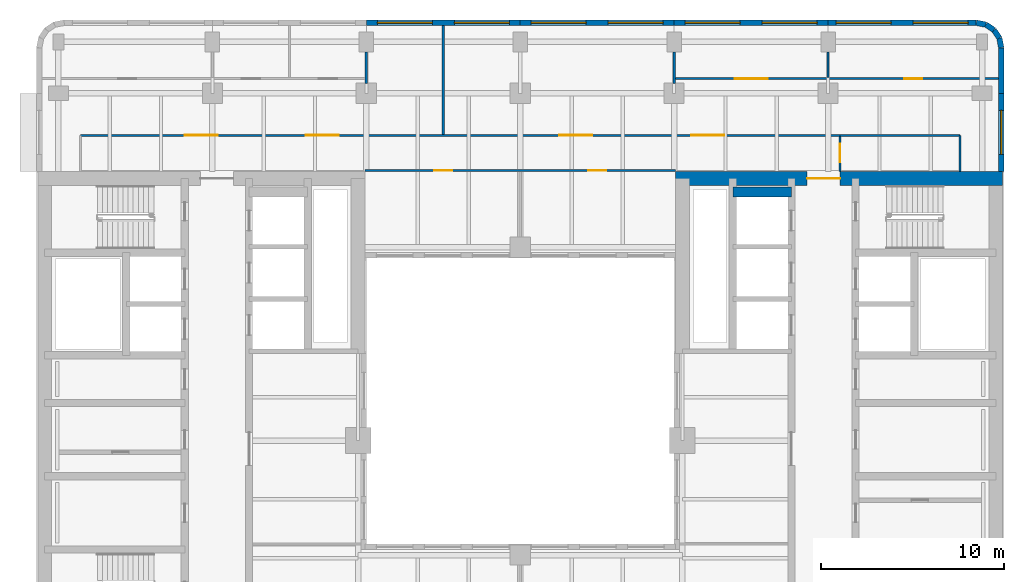
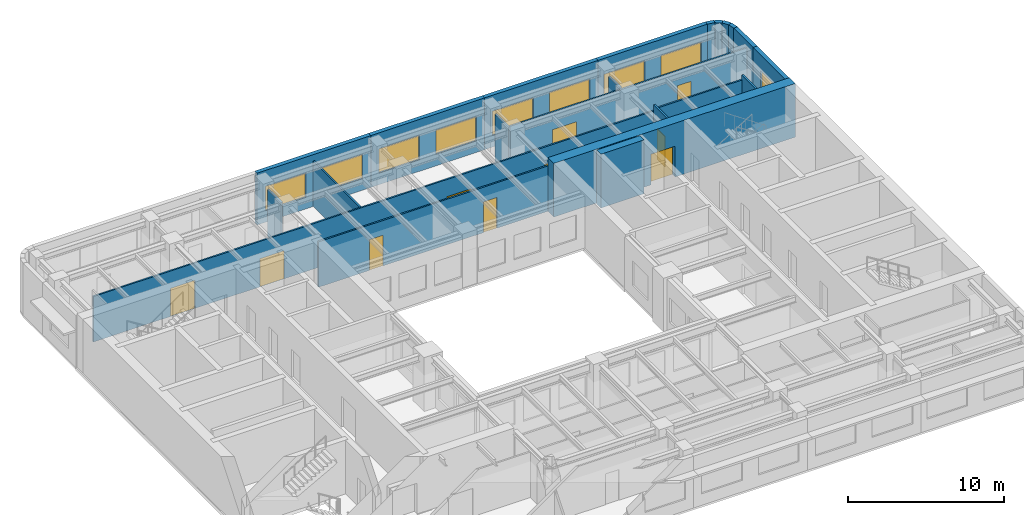
# One storey, part 7 of 11: 22 walls, 10 doors, 9 windows, 19 openings.
"""IFC4 building model written with IfcOpenShell, lengths in metres."""

import ifcopenshell
import ifcopenshell.guid

model = None  # the IFC model being written
_history = None  # IfcOwnerHistory: only IFC2X3 demands one
_inside = {}  # id of a spatial element -> (the spatial element, [elements in it])
_under = {}  # id of a project, library or spatial element -> (it, [spatial elements below it])
_declared = {}  # id of a project -> (the project, [libraries it declares])
_typed = {}  # id of a type object -> (the type object, [elements of that type])
_made_of = {}  # id of a material, layer set ... -> (it, [elements and type objects made of it])


def new_model(schema):
    """Start an empty IFC model of exactly this schema.

    Asked for "IFC4X3", IfcOpenShell would pick the latest addendum, in which some entities
    have other attributes; the version numbers below select the first issue.
    IFC2X3 requires an IfcOwnerHistory on every rooted entity: one is made here for all.
    """
    global model, _history
    if schema == "IFC4X3":
        model = ifcopenshell.file(schema_version=(4, 3, 0, 0))
    else:
        model = ifcopenshell.file(schema=schema)
    _inside.clear()
    _under.clear()
    _declared.clear()
    _typed.clear()
    _made_of.clear()
    _history = None
    if model.schema == "IFC2X3":
        org = make("IfcOrganization", Name="unknown")
        user = make(
            "IfcPersonAndOrganization",
            ThePerson=make("IfcPerson", FamilyName="unknown"),
            TheOrganization=org,
        )
        app = make(
            "IfcApplication",
            ApplicationDeveloper=org,
            Version="unknown",
            ApplicationFullName="unknown",
            ApplicationIdentifier="unknown",
        )
        _history = make(
            "IfcOwnerHistory",
            OwningUser=user,
            OwningApplication=app,
            ChangeAction="ADDED",
            CreationDate=0,
        )
    return model


def make(cls, **values):
    """One entity of the class cls with the attributes given. An attribute that is None is left unset."""
    return model.create_entity(
        cls, **{name: value for name, value in values.items() if value is not None}
    )


def rooted(cls, **values):
    """An entity with a GlobalId (a new one), such as an element, a storey or a relation."""
    return make(cls, GlobalId=ifcopenshell.guid.new(), OwnerHistory=_history, **values)


def si_unit(unit_type, name, prefix=None):
    """IfcSIUnit, for example si_unit("LENGTHUNIT", "METRE", prefix="MILLI")."""
    return make("IfcSIUnit", UnitType=unit_type, Prefix=prefix, Name=name)


def assignment(units):
    """IfcUnitAssignment: the units of a project."""
    return None if units is None else make("IfcUnitAssignment", Units=units)


def point(xyz):
    """IfcCartesianPoint."""
    return None if xyz is None else make("IfcCartesianPoint", Coordinates=xyz)


def direction(xyz):
    """IfcDirection."""
    return None if xyz is None else make("IfcDirection", DirectionRatios=xyz)


def frame(location, z_axis=None, x_axis=None):
    """IfcAxis2Placement3D, a coordinate frame: its origin and axes. An axis left out is left unset."""
    return make(
        "IfcAxis2Placement3D",
        Location=point(location),
        Axis=direction(z_axis),
        RefDirection=direction(x_axis),
    )


def frame_2d(location, x_axis=None):
    """IfcAxis2Placement2D, a coordinate frame in the plane: its origin and x axis."""
    return make(
        "IfcAxis2Placement2D", Location=point(location), RefDirection=direction(x_axis)
    )


def origin():
    """The frame at (0, 0, 0) with its axes left unset."""
    return frame((0.0, 0.0, 0.0))


def place(relative_to, where):
    """IfcLocalPlacement: puts the frame where relative to a parent placement (None: the world)."""
    return make(
        "IfcLocalPlacement", PlacementRelTo=relative_to, RelativePlacement=where
    )


def context(
    kind, dimensions, precision=None, world=None, true_north=None, identifier=None
):
    """IfcGeometricRepresentationContext, for example the 3D "Model" context."""
    return make(
        "IfcGeometricRepresentationContext",
        ContextIdentifier=identifier,
        ContextType=kind,
        CoordinateSpaceDimension=dimensions,
        Precision=precision,
        WorldCoordinateSystem=world,
        TrueNorth=true_north,
    )


def subcontext(parent, identifier, kind, view, scale=None):
    """IfcGeometricRepresentationSubContext, for example "Body" below "Model"."""
    return make(
        "IfcGeometricRepresentationSubContext",
        ContextIdentifier=identifier,
        ContextType=kind,
        ParentContext=parent,
        TargetScale=scale,
        TargetView=view,
    )


def project(units=None, contexts=None):
    """IfcProject with its units and contexts."""
    return rooted(
        "IfcProject",
        Name="project",
        RepresentationContexts=contexts,
        UnitsInContext=assignment(units),
    )


def spatial(cls, under=None, at=None, **own):
    """A site, building, storey or space (cls), placed at a placement, below another one or the project."""
    s = rooted(cls, ObjectPlacement=at, **own)
    if under is not None:
        _under.setdefault(under.id(), (under, []))[1].append(s)
    return s


def profile(cls, at=None, kind="AREA", **sizes):
    """A parametric profile (cls). Its sizes go by their IFC names, for example OverallWidth=200.0."""
    return make(cls, ProfileType=kind, Position=at, **sizes)


def rectangle(**sizes):
    """IfcRectangleProfileDef."""
    return profile("IfcRectangleProfileDef", **sizes)


def extrude(swept, where, along, depth):
    """IfcExtrudedAreaSolid: the profile swept, set in the frame where, extruded along a direction by depth."""
    return make(
        "IfcExtrudedAreaSolid",
        SweptArea=swept,
        Position=where,
        ExtrudedDirection=direction(along),
        Depth=depth,
    )


def shape(context_of_items, identifier, shape_type, items):
    """IfcShapeRepresentation: the items that make up one representation, for example the "Body"."""
    return make(
        "IfcShapeRepresentation",
        ContextOfItems=context_of_items,
        RepresentationIdentifier=identifier,
        RepresentationType=shape_type,
        Items=items,
    )


def material(Name=None, Category=None):
    """IfcMaterial."""
    return make("IfcMaterial", Name=Name, Category=Category)


def layer(
    of_material, thickness, ventilated=None, Name=None, Category=None, Priority=None
):
    """IfcMaterialLayer: one layer of a wall or slab, of a material (None: an air gap)."""
    return make(
        "IfcMaterialLayer",
        Material=of_material,
        LayerThickness=thickness,
        IsVentilated=ventilated,
        Name=Name,
        Category=Category,
        Priority=Priority,
    )


def layer_set(layers, Name=None):
    """IfcMaterialLayerSet."""
    return make("IfcMaterialLayerSet", MaterialLayers=layers, LayerSetName=Name)


def made_of(thing, what):
    """Note that an element or type object is made of a material, layer set ...; save() writes the relation."""
    if what is not None:
        _made_of.setdefault(what.id(), (what, []))[1].append(thing)
    return thing


def type_object(cls, material=None, **own):
    """A type object (cls), such as IfcWallType, which elements share."""
    return made_of(rooted(cls, **own), material)


def element(
    cls,
    number,
    at=None,
    inside=None,
    cuts=None,
    type_object=None,
    material=None,
    context=None,
    identifier="Body",
    shape_type=None,
    held_by="IfcProductDefinitionShape",
    body=None,
    shapes=None,
    **own,
):
    """One element of the class cls, such as IfcWall. Its Tag is "e" and its number.

    at: its placement. inside: the storey or other place that contains it. cuts: it is an
    opening in that element (IfcRelVoidsElement). A single representation is given by context,
    identifier, shape_type and body (its items); several are given by shapes. held_by: the class
    of the entity that holds the representations. save() writes the other relations.
    """
    e = rooted(cls, Tag="e%d" % number, ObjectPlacement=at, **own)
    if body is not None:
        shapes = [shape(context, identifier, shape_type, body)]
    if shapes is not None:
        e.Representation = make(held_by, Representations=shapes)
    if inside is not None:
        _inside.setdefault(inside.id(), (inside, []))[1].append(e)
    if cuts is not None:
        rooted(
            "IfcRelVoidsElement", RelatingBuildingElement=cuts, RelatedOpeningElement=e
        )
    if type_object is not None:
        _typed.setdefault(type_object.id(), (type_object, []))[1].append(e)
    return made_of(e, material)


def fill(opening, filler):
    """IfcRelFillsElement: the door or window that sits in an opening."""
    return rooted(
        "IfcRelFillsElement",
        RelatingOpeningElement=opening,
        RelatedBuildingElement=filler,
    )


def aggregate(whole, parts):
    """IfcRelAggregates: a whole, such as a stair, and the parts it consists of."""
    return rooted("IfcRelAggregates", RelatingObject=whole, RelatedObjects=parts)


def save(model, path):
    """Write the relations noted so far, then the file.

    IfcRelAggregates (storeys below a building ...), IfcRelContainedInSpatialStructure (elements
    in a storey), IfcRelDefinesByType, IfcRelAssociatesMaterial and IfcRelDeclares: one each for
    every whole, place, type object, material and project.
    """
    for whole, parts in _under.values():
        aggregate(whole, parts)
    for where, things in _inside.values():
        rooted(
            "IfcRelContainedInSpatialStructure",
            RelatedElements=things,
            RelatingStructure=where,
        )
    for kind, things in _typed.values():
        rooted("IfcRelDefinesByType", RelatedObjects=things, RelatingType=kind)
    for what, things in _made_of.values():
        rooted("IfcRelAssociatesMaterial", RelatedObjects=things, RelatingMaterial=what)
    for by, libraries in _declared.values():
        rooted("IfcRelDeclares", RelatingContext=by, RelatedDefinitions=libraries)
    model.write(path)


model = new_model("IFC4")

# Units and contexts
model_context = context("Model", 3, precision=1e-05, world=origin(), true_north=direction((0.0, 1.0)))
body_context = subcontext(model_context, "Body", "Model", "MODEL_VIEW")
ifc_project = project(units=[si_unit("LENGTHUNIT", "METRE"), si_unit("AREAUNIT", "SQUARE_METRE"), si_unit("VOLUMEUNIT", "CUBIC_METRE"), si_unit("PLANEANGLEUNIT", "RADIAN"), si_unit("MASSUNIT", "GRAM", prefix="KILO")], contexts=[model_context])

# Site, building, storey
site_placement = place(None, origin())
site = spatial("IfcSite", under=ifc_project, at=site_placement, CompositionType="ELEMENT")
building_placement = place(site_placement, origin())
building = spatial("IfcBuilding", under=site, at=building_placement, Name="Claustro Exchange Tower", CompositionType="ELEMENT")
storey_placement = place(building_placement, frame((0.0, 0.0, 215.39990234375)))
storey = spatial("IfcBuildingStorey", under=building, at=storey_placement, Name="L49", CompositionType="ELEMENT", Elevation=215.39990234375)

# Wall
ifc_material_1 = material(Name="Laminated glass in aluminium frame", Category="aluminium")
ifc_layer_1 = layer(ifc_material_1, 0.1201171875)
ifc_layer_set_1 = layer_set([ifc_layer_1], Name="Laminated glass in aluminium frame")
wall_type_1 = type_object("IfcWallType", Name="P2 120 glazed partition", PredefinedType="PARTITIONING", material=ifc_layer_set_1)
wall_1_placement = place(storey_placement, frame((16.800048828125, 42.548095703125, 0.0), z_axis=(0.0, 0.0, 1.0), x_axis=(0.0, 1.0, 0.0)))
element("IfcWall", 1, at=wall_1_placement, inside=storey, type_object=wall_type_1, Name="Partition P2 L49", PredefinedType="PARTITIONING", context=body_context, shape_type="SweptSolid", body=[
    extrude(rectangle(XDim=1.702880859375, YDim=0.1201171875, at=frame_2d((0.8515625, 0.0))), origin(), (0.0, 0.0, 1.0), 3.690185546875),
])

# Wall, openings, doors
wall_2_placement = place(storey_placement, frame((33.60009765625, 42.800048828125, 0.0), z_axis=(0.0, 0.0, 1.0), x_axis=(1.0, 0.0, 0.0)))
wall_2 = element("IfcWall", 2, at=wall_2_placement, inside=storey, type_object=wall_type_1, Name="Partition P2 L49", PredefinedType="PARTITIONING", context=body_context, shape_type="SweptSolid", body=[
    extrude(rectangle(XDim=17.701904296875, YDim=0.1201171875, at=frame_2d((8.85107421875, 0.0))), origin(), (0.0, 0.0, 1.0), 3.56005859375),
])
opening_1_placement = place(wall_2_placement, frame((3.300048828125, 0.0, 0.0)))
opening_1 = element("IfcOpeningElement", 3, at=opening_1_placement, cuts=wall_2, Name="Opening D2", PredefinedType="OPENING", context=body_context, shape_type="SweptSolid", body=[
    extrude(rectangle(XDim=1.800048828125, YDim=2.199951171875, at=frame_2d((0.89990234375, 1.10009765625))), frame((0.0, 0.070068359375, 0.0), z_axis=(0.0, -1.0, 0.0), x_axis=(1.0, 0.0, 0.0)), (0.0, 0.0, 1.0), 0.14013671875),
])
opening_2_placement = place(wall_2_placement, frame((12.550048828125, 0.0, 0.0)))
opening_2 = element("IfcOpeningElement", 4, at=opening_2_placement, cuts=wall_2, Name="Opening D7", PredefinedType="OPENING", context=body_context, shape_type="SweptSolid", body=[
    extrude(rectangle(XDim=1.0, YDim=2.39990234375, at=frame_2d((0.5, 1.199951171875))), frame((0.0, 0.070068359375, 0.0), z_axis=(0.0, -1.0, 0.0), x_axis=(1.0, 0.0, 0.0)), (0.0, 0.0, 1.0), 0.14013671875),
])
ifc_material_2 = material(Name="Timber door, oak veneer", Category="wood")
door_type_1 = type_object("IfcDoorType", Name="D2 1800 x 2200 double door", OperationType="DOUBLE_DOOR_SINGLE_SWING", PredefinedType="DOOR", material=ifc_material_2)
door_1_placement = place(opening_1_placement, origin())
door_1 = element("IfcDoor", 5, at=door_1_placement, inside=storey, type_object=door_type_1, Name="Double door D2 L49", OperationType="DOUBLE_DOOR_SINGLE_SWING", OverallHeight=2.199951171875, OverallWidth=1.800048828125, PredefinedType="DOOR", context=body_context, shape_type="SweptSolid", body=[
    extrude(rectangle(XDim=1.800048828125, YDim=2.199951171875, at=frame_2d((0.89990234375, 1.10009765625))), frame((0.0, 0.02490234375, 0.0), z_axis=(0.0, -1.0, 0.0), x_axis=(1.0, 0.0, 0.0)), (0.0, 0.0, 1.0), 0.050048828125),
])
fill(opening_1, door_1)
ifc_material_3 = material(Name="Glass door in aluminium frame", Category="aluminium")
door_type_2 = type_object("IfcDoorType", Name="D7 1000 x 2400 glazed door", OperationType="SINGLE_SWING_LEFT", PredefinedType="DOOR", material=ifc_material_3)
door_2_placement = place(opening_2_placement, origin())
door_2 = element("IfcDoor", 6, at=door_2_placement, inside=storey, type_object=door_type_2, Name="Door D7 L49", OperationType="SINGLE_SWING_LEFT", OverallHeight=2.39990234375, OverallWidth=1.0, PredefinedType="DOOR", context=body_context, shape_type="SweptSolid", body=[
    extrude(rectangle(XDim=1.0, YDim=2.39990234375, at=frame_2d((0.5, 1.199951171875))), frame((0.0, 0.02490234375, 0.0), z_axis=(0.0, -1.0, 0.0), x_axis=(1.0, 0.0, 0.0)), (0.0, 0.0, 1.0), 0.050048828125),
])
fill(opening_2, door_2)

# Walls
wall_3_placement = place(storey_placement, frame((33.60009765625, 42.548095703125, 0.0), z_axis=(0.0, 0.0, 1.0), x_axis=(0.0, 1.0, 0.0)))
element("IfcWall", 7, at=wall_3_placement, inside=storey, type_object=wall_type_1, Name="Partition P2 L49", PredefinedType="PARTITIONING", context=body_context, shape_type="SweptSolid", body=[
    extrude(rectangle(XDim=1.702880859375, YDim=0.1201171875, at=frame_2d((0.8515625, 0.0))), origin(), (0.0, 0.0, 1.0), 3.690185546875),
])
wall_4_placement = place(storey_placement, frame((42.0, 42.85791015625, 0.0), z_axis=(0.0, 0.0, 1.0), x_axis=(0.0, 1.0, 0.0)))
element("IfcWall", 8, at=wall_4_placement, inside=storey, type_object=wall_type_1, Name="Partition P2 L49", PredefinedType="PARTITIONING", context=body_context, shape_type="SweptSolid", body=[
    extrude(rectangle(XDim=1.39306640625, YDim=0.1201171875, at=frame_2d((0.696533203125, 0.0))), origin(), (0.0, 0.0, 1.0), 3.690185546875),
])
wall_5_placement = place(storey_placement, frame((21.0, 39.758056640625, 0.0), z_axis=(0.0, 0.0, 1.0), x_axis=(0.0, 1.0, 0.0)))
element("IfcWall", 9, at=wall_5_placement, inside=storey, type_object=wall_type_1, Name="Partition P2 L49", PredefinedType="PARTITIONING", context=body_context, shape_type="SweptSolid", body=[
    extrude(rectangle(XDim=5.94384765625, YDim=0.1201171875, at=frame_2d((2.971923828125, 0.0))), origin(), (0.0, 0.0, 1.0), 3.550048828125),
])

# Wall, openings, doors
wall_6_placement = place(storey_placement, frame((1.199951171875, 39.699951171875, 0.0), z_axis=(0.0, 0.0, 1.0), x_axis=(1.0, 0.0, 0.0)))
wall_6 = element("IfcWall", 10, at=wall_6_placement, inside=storey, type_object=wall_type_1, Name="Partition P2 L49", PredefinedType="PARTITIONING", context=body_context, shape_type="SweptSolid", body=[
    extrude(rectangle(XDim=41.4521484375, YDim=0.1201171875, at=frame_2d((20.72607421875, 0.0))), origin(), (0.0, 0.0, 1.0), 3.550048828125),
])
opening_3_placement = place(wall_6_placement, frame((5.699951171875, 0.0, 0.0)))
opening_3 = element("IfcOpeningElement", 11, at=opening_3_placement, cuts=wall_6, Name="Opening D2", PredefinedType="OPENING", context=body_context, shape_type="SweptSolid", body=[
    extrude(rectangle(XDim=1.800048828125, YDim=2.199951171875, at=frame_2d((0.89990234375, 1.10009765625))), frame((0.0, 0.070068359375, 0.0), z_axis=(0.0, -1.0, 0.0), x_axis=(1.0, 0.0, 0.0)), (0.0, 0.0, 1.0), 0.14013671875),
])
opening_4_placement = place(wall_6_placement, frame((12.300048828125, 0.0, 0.0)))
opening_4 = element("IfcOpeningElement", 12, at=opening_4_placement, cuts=wall_6, Name="Opening D2", PredefinedType="OPENING", context=body_context, shape_type="SweptSolid", body=[
    extrude(rectangle(XDim=1.800048828125, YDim=2.199951171875, at=frame_2d((0.89990234375, 1.10009765625))), frame((0.0, 0.070068359375, 0.0), z_axis=(0.0, -1.0, 0.0), x_axis=(1.0, 0.0, 0.0)), (0.0, 0.0, 1.0), 0.14013671875),
])
opening_5_placement = place(wall_6_placement, frame((26.11669921875, 0.0, 0.0)))
opening_5 = element("IfcOpeningElement", 13, at=opening_5_placement, cuts=wall_6, Name="Opening D2", PredefinedType="OPENING", context=body_context, shape_type="SweptSolid", body=[
    extrude(rectangle(XDim=1.800048828125, YDim=2.199951171875, at=frame_2d((0.89990234375, 1.10009765625))), frame((0.0, 0.070068359375, 0.0), z_axis=(0.0, -1.0, 0.0), x_axis=(1.0, 0.0, 0.0)), (0.0, 0.0, 1.0), 0.14013671875),
])
opening_6_placement = place(wall_6_placement, frame((33.333251953125, 0.0, 0.0)))
opening_6 = element("IfcOpeningElement", 14, at=opening_6_placement, cuts=wall_6, Name="Opening D2", PredefinedType="OPENING", context=body_context, shape_type="SweptSolid", body=[
    extrude(rectangle(XDim=1.800048828125, YDim=2.199951171875, at=frame_2d((0.89990234375, 1.10009765625))), frame((0.0, 0.070068359375, 0.0), z_axis=(0.0, -1.0, 0.0), x_axis=(1.0, 0.0, 0.0)), (0.0, 0.0, 1.0), 0.14013671875),
])
door_3_placement = place(opening_3_placement, origin())
door_3 = element("IfcDoor", 15, at=door_3_placement, inside=storey, type_object=door_type_1, Name="Double door D2 L49", OperationType="DOUBLE_DOOR_SINGLE_SWING", OverallHeight=2.199951171875, OverallWidth=1.800048828125, PredefinedType="DOOR", context=body_context, shape_type="SweptSolid", body=[
    extrude(rectangle(XDim=1.800048828125, YDim=2.199951171875, at=frame_2d((0.89990234375, 1.10009765625))), frame((0.0, 0.02490234375, 0.0), z_axis=(0.0, -1.0, 0.0), x_axis=(1.0, 0.0, 0.0)), (0.0, 0.0, 1.0), 0.050048828125),
])
fill(opening_3, door_3)
door_4_placement = place(opening_4_placement, origin())
door_4 = element("IfcDoor", 16, at=door_4_placement, inside=storey, type_object=door_type_1, Name="Double door D2 L49", OperationType="DOUBLE_DOOR_SINGLE_SWING", OverallHeight=2.199951171875, OverallWidth=1.800048828125, PredefinedType="DOOR", context=body_context, shape_type="SweptSolid", body=[
    extrude(rectangle(XDim=1.800048828125, YDim=2.199951171875, at=frame_2d((0.89990234375, 1.10009765625))), frame((0.0, 0.02490234375, 0.0), z_axis=(0.0, -1.0, 0.0), x_axis=(1.0, 0.0, 0.0)), (0.0, 0.0, 1.0), 0.050048828125),
])
fill(opening_4, door_4)
door_5_placement = place(opening_5_placement, origin())
door_5 = element("IfcDoor", 17, at=door_5_placement, inside=storey, type_object=door_type_1, Name="Double door D2 L49", OperationType="DOUBLE_DOOR_SINGLE_SWING", OverallHeight=2.199951171875, OverallWidth=1.800048828125, PredefinedType="DOOR", context=body_context, shape_type="SweptSolid", body=[
    extrude(rectangle(XDim=1.800048828125, YDim=2.199951171875, at=frame_2d((0.89990234375, 1.10009765625))), frame((0.0, 0.02490234375, 0.0), z_axis=(0.0, -1.0, 0.0), x_axis=(1.0, 0.0, 0.0)), (0.0, 0.0, 1.0), 0.050048828125),
])
fill(opening_5, door_5)
door_6_placement = place(opening_6_placement, origin())
door_6 = element("IfcDoor", 18, at=door_6_placement, inside=storey, type_object=door_type_1, Name="Double door D2 L49", OperationType="DOUBLE_DOOR_SINGLE_SWING", OverallHeight=2.199951171875, OverallWidth=1.800048828125, PredefinedType="DOOR", context=body_context, shape_type="SweptSolid", body=[
    extrude(rectangle(XDim=1.800048828125, YDim=2.199951171875, at=frame_2d((0.89990234375, 1.10009765625))), frame((0.0, 0.02490234375, 0.0), z_axis=(0.0, -1.0, 0.0), x_axis=(1.0, 0.0, 0.0)), (0.0, 0.0, 1.0), 0.050048828125),
])
fill(opening_6, door_6)

# Wall, opening, door
wall_7_placement = place(storey_placement, frame((42.64990234375, 37.72412109375, 0.0), z_axis=(0.0, 0.0, 1.0), x_axis=(0.0, 1.0, 0.0)))
wall_7 = element("IfcWall", 19, at=wall_7_placement, inside=storey, type_object=wall_type_1, Name="Partition P2 L49", PredefinedType="PARTITIONING", context=body_context, shape_type="SweptSolid", body=[
    extrude(rectangle(XDim=1.91796875, YDim=0.1201171875, at=frame_2d((0.958984375, 0.0))), origin(), (0.0, 0.0, 1.0), 4.050048828125),
])
opening_7_placement = place(wall_7_placement, frame((0.52587890625, 0.0, 0.0)))
opening_7 = element("IfcOpeningElement", 20, at=opening_7_placement, cuts=wall_7, Name="Opening D7", PredefinedType="OPENING", context=body_context, shape_type="SweptSolid", body=[
    extrude(rectangle(XDim=1.0, YDim=2.39990234375, at=frame_2d((0.5, 1.199951171875))), frame((0.0, 0.070068359375, 0.0), z_axis=(0.0, -1.0, 0.0), x_axis=(1.0, 0.0, 0.0)), (0.0, 0.0, 1.0), 0.14013671875),
])
door_7_placement = place(opening_7_placement, frame((1.0, 0.0, 0.0), z_axis=(0.0, 0.0, 1.0), x_axis=(-1.0, 0.0, 0.0)))
door_7 = element("IfcDoor", 21, at=door_7_placement, inside=storey, type_object=door_type_2, Name="Door D7 L49", OperationType="SINGLE_SWING_RIGHT", OverallHeight=2.39990234375, OverallWidth=1.0, PredefinedType="DOOR", context=body_context, shape_type="SweptSolid", body=[
    extrude(rectangle(XDim=1.0, YDim=2.39990234375, at=frame_2d((0.5, 1.199951171875))), frame((0.0, 0.02490234375, 0.0), z_axis=(0.0, -1.0, 0.0), x_axis=(1.0, 0.0, 0.0)), (0.0, 0.0, 1.0), 0.050048828125),
])
fill(opening_7, door_7)

# Walls
wall_8_placement = place(storey_placement, frame((42.64794921875, 39.699951171875, 0.0), z_axis=(0.0, 0.0, 1.0), x_axis=(1.0, 0.0, 0.0)))
element("IfcWall", 22, at=wall_8_placement, inside=storey, type_object=wall_type_1, Name="Partition P2 L49", PredefinedType="PARTITIONING", context=body_context, shape_type="SweptSolid", body=[
    extrude(rectangle(XDim=6.552001953125, YDim=0.1201171875, at=frame_2d((3.27587890625, 0.0))), origin(), (0.0, 0.0, 1.0), 3.690185546875),
])
wall_9_placement = place(storey_placement, frame((49.199951171875, 37.72412109375, 0.0), z_axis=(0.0, 0.0, 1.0), x_axis=(0.0, 1.0, 0.0)))
element("IfcWall", 23, at=wall_9_placement, inside=storey, type_object=wall_type_1, Name="Partition P2 L49", PredefinedType="PARTITIONING", context=body_context, shape_type="SweptSolid", body=[
    extrude(rectangle(XDim=1.975830078125, YDim=0.1201171875, at=frame_2d((0.98779296875, 0.0))), origin(), (0.0, 0.0, 1.0), 4.050048828125),
])

# Wall, openings, doors
wall_10_placement = place(storey_placement, frame((16.72509765625, 37.784912109375, 0.0), z_axis=(0.0, 0.0, 1.0), x_axis=(1.0, 0.0, 0.0)))
wall_10 = element("IfcWall", 24, at=wall_10_placement, inside=storey, type_object=wall_type_1, Name="Partition P2 L49", PredefinedType="PARTITIONING", context=body_context, shape_type="SweptSolid", body=[
    extrude(rectangle(XDim=16.949951171875, YDim=0.1201171875, at=frame_2d((8.47509765625, 0.0))), origin(), (0.0, 0.0, 1.0), 3.550048828125),
])
opening_8_placement = place(wall_10_placement, frame((3.77490234375, 0.0, 0.0)))
opening_8 = element("IfcOpeningElement", 25, at=opening_8_placement, cuts=wall_10, Name="Opening D7", PredefinedType="OPENING", context=body_context, shape_type="SweptSolid", body=[
    extrude(rectangle(XDim=1.0, YDim=2.39990234375, at=frame_2d((0.5, 1.199951171875))), frame((0.0, 0.070068359375, 0.0), z_axis=(0.0, -1.0, 0.0), x_axis=(1.0, 0.0, 0.0)), (0.0, 0.0, 1.0), 0.14013671875),
])
opening_9_placement = place(wall_10_placement, frame((12.175048828125, 0.0, 0.0)))
opening_9 = element("IfcOpeningElement", 26, at=opening_9_placement, cuts=wall_10, Name="Opening D7", PredefinedType="OPENING", context=body_context, shape_type="SweptSolid", body=[
    extrude(rectangle(XDim=1.0, YDim=2.39990234375, at=frame_2d((0.5, 1.199951171875))), frame((0.0, 0.070068359375, 0.0), z_axis=(0.0, -1.0, 0.0), x_axis=(1.0, 0.0, 0.0)), (0.0, 0.0, 1.0), 0.14013671875),
])
door_8_placement = place(opening_8_placement, frame((1.0, 0.0, 0.0), z_axis=(0.0, 0.0, 1.0), x_axis=(-1.0, 0.0, 0.0)))
door_8 = element("IfcDoor", 27, at=door_8_placement, inside=storey, type_object=door_type_2, Name="Door D7 L49", OperationType="SINGLE_SWING_LEFT", OverallHeight=2.39990234375, OverallWidth=1.0, PredefinedType="DOOR", context=body_context, shape_type="SweptSolid", body=[
    extrude(rectangle(XDim=1.0, YDim=2.39990234375, at=frame_2d((0.5, 1.199951171875))), frame((0.0, 0.02490234375, 0.0), z_axis=(0.0, -1.0, 0.0), x_axis=(1.0, 0.0, 0.0)), (0.0, 0.0, 1.0), 0.050048828125),
])
fill(opening_8, door_8)
door_9_placement = place(opening_9_placement, frame((1.0, 0.0, 0.0), z_axis=(0.0, 0.0, 1.0), x_axis=(-1.0, 0.0, 0.0)))
door_9 = element("IfcDoor", 28, at=door_9_placement, inside=storey, type_object=door_type_2, Name="Door D7 L49", OperationType="SINGLE_SWING_LEFT", OverallHeight=2.39990234375, OverallWidth=1.0, PredefinedType="DOOR", context=body_context, shape_type="SweptSolid", body=[
    extrude(rectangle(XDim=1.0, YDim=2.39990234375, at=frame_2d((0.5, 1.199951171875))), frame((0.0, 0.02490234375, 0.0), z_axis=(0.0, -1.0, 0.0), x_axis=(1.0, 0.0, 0.0)), (0.0, 0.0, 1.0), 0.050048828125),
])
fill(opening_9, door_9)

# Wall, openings, windows
ifc_material_4 = material(Name="Concrete HA-40 (C40/50), precast, white cement, acid-etched", Category="concrete")
ifc_layer_2 = layer(ifc_material_4, 0.300048828125)
ifc_layer_set_2 = layer_set([ifc_layer_2], Name="Concrete HA-40 (C40/50), precast, white cement, acid-etched")
wall_type_2 = type_object("IfcWallType", Name="PC1 300 precast concrete pier panel", PredefinedType="SOLIDWALL", material=ifc_layer_set_2)
wall_11_placement = place(storey_placement, frame((16.800048828125, 45.85009765625, 0.0), z_axis=(0.0, 0.0, 1.0), x_axis=(1.0, 0.0, 0.0)))
wall_11 = element("IfcWall", 29, at=wall_11_placement, inside=storey, type_object=wall_type_2, Name="Precast pier panel PC1 L49", PredefinedType="SOLIDWALL", context=body_context, shape_type="SweptSolid", body=[
    extrude(rectangle(XDim=8.39990234375, YDim=0.300048828125, at=frame_2d((4.199951171875, 0.0))), origin(), (0.0, 0.0, 1.0), 4.050048828125),
])
opening_10_placement = place(wall_11_placement, frame((0.60009765625, 0.0, 0.89990234375)))
opening_10 = element("IfcOpeningElement", 30, at=opening_10_placement, cuts=wall_11, Name="Opening W1", PredefinedType="OPENING", context=body_context, shape_type="SweptSolid", body=[
    extrude(rectangle(XDim=3.0, YDim=1.89990234375, at=frame_2d((1.5, 0.949951171875))), frame((0.0, 0.159912109375, 0.0), z_axis=(0.0, -1.0, 0.0), x_axis=(1.0, 0.0, 0.0)), (0.0, 0.0, 1.0), 0.320068359375),
])
opening_11_placement = place(wall_11_placement, frame((4.800048828125, 0.0, 0.89990234375)))
opening_11 = element("IfcOpeningElement", 31, at=opening_11_placement, cuts=wall_11, Name="Opening W1", PredefinedType="OPENING", context=body_context, shape_type="SweptSolid", body=[
    extrude(rectangle(XDim=3.0, YDim=1.89990234375, at=frame_2d((1.5, 0.949951171875))), frame((0.0, 0.159912109375, 0.0), z_axis=(0.0, -1.0, 0.0), x_axis=(1.0, 0.0, 0.0)), (0.0, 0.0, 1.0), 0.320068359375),
])
ifc_material_5 = material(Name="Aluminium frame, clear double glazing", Category="aluminium")
window_type_1 = type_object("IfcWindowType", Name="W1 3000 x 1900 window", PartitioningType="SINGLE_PANEL", PredefinedType="WINDOW", material=ifc_material_5)
window_1_placement = place(opening_10_placement, origin())
window_1 = element("IfcWindow", 32, at=window_1_placement, inside=storey, type_object=window_type_1, Name="Window W1 L49", OverallHeight=1.89990234375, OverallWidth=3.0, PartitioningType="SINGLE_PANEL", PredefinedType="WINDOW", context=body_context, shape_type="SweptSolid", body=[
    extrude(rectangle(XDim=3.0, YDim=1.89990234375, at=frame_2d((1.5, 0.949951171875))), frame((0.0, 0.030029296875, 0.0), z_axis=(0.0, -1.0, 0.0), x_axis=(1.0, 0.0, 0.0)), (0.0, 0.0, 1.0), 0.06005859375),
])
fill(opening_10, window_1)
window_2_placement = place(opening_11_placement, origin())
window_2 = element("IfcWindow", 33, at=window_2_placement, inside=storey, type_object=window_type_1, Name="Window W1 L49", OverallHeight=1.89990234375, OverallWidth=3.0, PartitioningType="SINGLE_PANEL", PredefinedType="WINDOW", context=body_context, shape_type="SweptSolid", body=[
    extrude(rectangle(XDim=3.0, YDim=1.89990234375, at=frame_2d((1.5, 0.949951171875))), frame((0.0, 0.030029296875, 0.0), z_axis=(0.0, -1.0, 0.0), x_axis=(1.0, 0.0, 0.0)), (0.0, 0.0, 1.0), 0.06005859375),
])
fill(opening_11, window_2)

wall_12_placement = place(storey_placement, frame((25.199951171875, 45.85009765625, 0.0), z_axis=(0.0, 0.0, 1.0), x_axis=(1.0, 0.0, 0.0)))
wall_12 = element("IfcWall", 34, at=wall_12_placement, inside=storey, type_object=wall_type_2, Name="Precast pier panel PC1 L49", PredefinedType="SOLIDWALL", context=body_context, shape_type="SweptSolid", body=[
    extrude(rectangle(XDim=8.400146484375, YDim=0.300048828125, at=frame_2d((4.2001953125, 0.0))), origin(), (0.0, 0.0, 1.0), 4.050048828125),
])
opening_12_placement = place(wall_12_placement, frame((0.60009765625, 0.0, 0.89990234375)))
opening_12 = element("IfcOpeningElement", 35, at=opening_12_placement, cuts=wall_12, Name="Opening W1", PredefinedType="OPENING", context=body_context, shape_type="SweptSolid", body=[
    extrude(rectangle(XDim=3.0, YDim=1.89990234375, at=frame_2d((1.5, 0.949951171875))), frame((0.0, 0.159912109375, 0.0), z_axis=(0.0, -1.0, 0.0), x_axis=(1.0, 0.0, 0.0)), (0.0, 0.0, 1.0), 0.320068359375),
])
opening_13_placement = place(wall_12_placement, frame((4.800048828125, 0.0, 0.89990234375)))
opening_13 = element("IfcOpeningElement", 36, at=opening_13_placement, cuts=wall_12, Name="Opening W1", PredefinedType="OPENING", context=body_context, shape_type="SweptSolid", body=[
    extrude(rectangle(XDim=3.0, YDim=1.89990234375, at=frame_2d((1.5, 0.949951171875))), frame((0.0, 0.159912109375, 0.0), z_axis=(0.0, -1.0, 0.0), x_axis=(1.0, 0.0, 0.0)), (0.0, 0.0, 1.0), 0.320068359375),
])
window_3_placement = place(opening_12_placement, origin())
window_3 = element("IfcWindow", 37, at=window_3_placement, inside=storey, type_object=window_type_1, Name="Window W1 L49", OverallHeight=1.89990234375, OverallWidth=3.0, PartitioningType="SINGLE_PANEL", PredefinedType="WINDOW", context=body_context, shape_type="SweptSolid", body=[
    extrude(rectangle(XDim=3.0, YDim=1.89990234375, at=frame_2d((1.5, 0.949951171875))), frame((0.0, 0.030029296875, 0.0), z_axis=(0.0, -1.0, 0.0), x_axis=(1.0, 0.0, 0.0)), (0.0, 0.0, 1.0), 0.06005859375),
])
fill(opening_12, window_3)
window_4_placement = place(opening_13_placement, origin())
window_4 = element("IfcWindow", 38, at=window_4_placement, inside=storey, type_object=window_type_1, Name="Window W1 L49", OverallHeight=1.89990234375, OverallWidth=3.0, PartitioningType="SINGLE_PANEL", PredefinedType="WINDOW", context=body_context, shape_type="SweptSolid", body=[
    extrude(rectangle(XDim=3.0, YDim=1.89990234375, at=frame_2d((1.5, 0.949951171875))), frame((0.0, 0.030029296875, 0.0), z_axis=(0.0, -1.0, 0.0), x_axis=(1.0, 0.0, 0.0)), (0.0, 0.0, 1.0), 0.06005859375),
])
fill(opening_13, window_4)

wall_13_placement = place(storey_placement, frame((33.60009765625, 45.85009765625, 0.0), z_axis=(0.0, 0.0, 1.0), x_axis=(1.0, 0.0, 0.0)))
wall_13 = element("IfcWall", 39, at=wall_13_placement, inside=storey, type_object=wall_type_2, Name="Precast pier panel PC1 L49", PredefinedType="SOLIDWALL", context=body_context, shape_type="SweptSolid", body=[
    extrude(rectangle(XDim=8.39990234375, YDim=0.300048828125, at=frame_2d((4.199951171875, 0.0))), origin(), (0.0, 0.0, 1.0), 4.050048828125),
])
opening_14_placement = place(wall_13_placement, frame((0.60009765625, 0.0, 0.89990234375)))
opening_14 = element("IfcOpeningElement", 40, at=opening_14_placement, cuts=wall_13, Name="Opening W1", PredefinedType="OPENING", context=body_context, shape_type="SweptSolid", body=[
    extrude(rectangle(XDim=3.0, YDim=1.89990234375, at=frame_2d((1.5, 0.949951171875))), frame((0.0, 0.159912109375, 0.0), z_axis=(0.0, -1.0, 0.0), x_axis=(1.0, 0.0, 0.0)), (0.0, 0.0, 1.0), 0.320068359375),
])
opening_15_placement = place(wall_13_placement, frame((4.800048828125, 0.0, 0.89990234375)))
opening_15 = element("IfcOpeningElement", 41, at=opening_15_placement, cuts=wall_13, Name="Opening W1", PredefinedType="OPENING", context=body_context, shape_type="SweptSolid", body=[
    extrude(rectangle(XDim=3.0, YDim=1.89990234375, at=frame_2d((1.5, 0.949951171875))), frame((0.0, 0.159912109375, 0.0), z_axis=(0.0, -1.0, 0.0), x_axis=(1.0, 0.0, 0.0)), (0.0, 0.0, 1.0), 0.320068359375),
])
window_5_placement = place(opening_14_placement, origin())
window_5 = element("IfcWindow", 42, at=window_5_placement, inside=storey, type_object=window_type_1, Name="Window W1 L49", OverallHeight=1.89990234375, OverallWidth=3.0, PartitioningType="SINGLE_PANEL", PredefinedType="WINDOW", context=body_context, shape_type="SweptSolid", body=[
    extrude(rectangle(XDim=3.0, YDim=1.89990234375, at=frame_2d((1.5, 0.949951171875))), frame((0.0, 0.030029296875, 0.0), z_axis=(0.0, -1.0, 0.0), x_axis=(1.0, 0.0, 0.0)), (0.0, 0.0, 1.0), 0.06005859375),
])
fill(opening_14, window_5)
window_6_placement = place(opening_15_placement, origin())
window_6 = element("IfcWindow", 43, at=window_6_placement, inside=storey, type_object=window_type_1, Name="Window W1 L49", OverallHeight=1.89990234375, OverallWidth=3.0, PartitioningType="SINGLE_PANEL", PredefinedType="WINDOW", context=body_context, shape_type="SweptSolid", body=[
    extrude(rectangle(XDim=3.0, YDim=1.89990234375, at=frame_2d((1.5, 0.949951171875))), frame((0.0, 0.030029296875, 0.0), z_axis=(0.0, -1.0, 0.0), x_axis=(1.0, 0.0, 0.0)), (0.0, 0.0, 1.0), 0.06005859375),
])
fill(opening_15, window_6)

wall_14_placement = place(storey_placement, frame((42.0, 45.85009765625, 0.0), z_axis=(0.0, 0.0, 1.0), x_axis=(1.0, 0.0, 0.0)))
wall_14 = element("IfcWall", 44, at=wall_14_placement, inside=storey, type_object=wall_type_2, Name="Precast pier panel PC1 L49", PredefinedType="SOLIDWALL", context=body_context, shape_type="SweptSolid", body=[
    extrude(rectangle(XDim=8.085205078125, YDim=0.300048828125, at=frame_2d((4.04248046875, 0.0))), origin(), (0.0, 0.0, 1.0), 4.050048828125),
])
opening_16_placement = place(wall_14_placement, frame((0.442626953125, 0.0, 0.89990234375)))
opening_16 = element("IfcOpeningElement", 45, at=opening_16_placement, cuts=wall_14, Name="Opening W1", PredefinedType="OPENING", context=body_context, shape_type="SweptSolid", body=[
    extrude(rectangle(XDim=3.0, YDim=1.89990234375, at=frame_2d((1.5, 0.949951171875))), frame((0.0, 0.159912109375, 0.0), z_axis=(0.0, -1.0, 0.0), x_axis=(1.0, 0.0, 0.0)), (0.0, 0.0, 1.0), 0.320068359375),
])
opening_17_placement = place(wall_14_placement, frame((4.642578125, 0.0, 0.89990234375)))
opening_17 = element("IfcOpeningElement", 46, at=opening_17_placement, cuts=wall_14, Name="Opening W1", PredefinedType="OPENING", context=body_context, shape_type="SweptSolid", body=[
    extrude(rectangle(XDim=3.0, YDim=1.89990234375, at=frame_2d((1.5, 0.949951171875))), frame((0.0, 0.159912109375, 0.0), z_axis=(0.0, -1.0, 0.0), x_axis=(1.0, 0.0, 0.0)), (0.0, 0.0, 1.0), 0.320068359375),
])
window_7_placement = place(opening_16_placement, origin())
window_7 = element("IfcWindow", 47, at=window_7_placement, inside=storey, type_object=window_type_1, Name="Window W1 L49", OverallHeight=1.89990234375, OverallWidth=3.0, PartitioningType="SINGLE_PANEL", PredefinedType="WINDOW", context=body_context, shape_type="SweptSolid", body=[
    extrude(rectangle(XDim=3.0, YDim=1.89990234375, at=frame_2d((1.5, 0.949951171875))), frame((0.0, 0.030029296875, 0.0), z_axis=(0.0, -1.0, 0.0), x_axis=(1.0, 0.0, 0.0)), (0.0, 0.0, 1.0), 0.06005859375),
])
fill(opening_16, window_7)
window_8_placement = place(opening_17_placement, origin())
window_8 = element("IfcWindow", 48, at=window_8_placement, inside=storey, type_object=window_type_1, Name="Window W1 L49", OverallHeight=1.89990234375, OverallWidth=3.0, PartitioningType="SINGLE_PANEL", PredefinedType="WINDOW", context=body_context, shape_type="SweptSolid", body=[
    extrude(rectangle(XDim=3.0, YDim=1.89990234375, at=frame_2d((1.5, 0.949951171875))), frame((0.0, 0.030029296875, 0.0), z_axis=(0.0, -1.0, 0.0), x_axis=(1.0, 0.0, 0.0)), (0.0, 0.0, 1.0), 0.06005859375),
])
fill(opening_17, window_8)

# Walls
wall_15_placement = place(storey_placement, frame((50.085205078125, 45.85009765625, 0.0), z_axis=(0.0, 0.0, 1.0), x_axis=(0.980702050465, -0.1955082817, 0.0)))
element("IfcWall", 49, at=wall_15_placement, inside=storey, type_object=wall_type_2, Name="Precast pier panel PC1 L49", PredefinedType="SOLIDWALL", context=body_context, shape_type="SweptSolid", body=[
    extrude(rectangle(XDim=0.540771484375, YDim=0.300048828125, at=frame_2d((0.2705078125, 0.0))), origin(), (0.0, 0.0, 1.0), 4.050048828125),
])
wall_16_placement = place(storey_placement, frame((50.615478515625, 45.744384765625, 0.0), z_axis=(0.0, 0.0, 1.0), x_axis=(0.831692711774, -0.555236195849, 0.0)))
element("IfcWall", 50, at=wall_16_placement, inside=storey, type_object=wall_type_2, Name="Precast pier panel PC1 L49", PredefinedType="SOLIDWALL", context=body_context, shape_type="SweptSolid", body=[
    extrude(rectangle(XDim=0.525390625, YDim=0.300048828125, at=frame_2d((0.2626953125, 0.0))), origin(), (0.0, 0.0, 1.0), 4.050048828125),
])
wall_17_placement = place(storey_placement, frame((51.052490234375, 45.45263671875, 0.0), z_axis=(0.0, 0.0, 1.0), x_axis=(0.55534295404, -0.831621430339, 0.0)))
element("IfcWall", 51, at=wall_17_placement, inside=storey, type_object=wall_type_2, Name="Precast pier panel PC1 L49", PredefinedType="SOLIDWALL", context=body_context, shape_type="SweptSolid", body=[
    extrude(rectangle(XDim=0.52587890625, YDim=0.300048828125, at=frame_2d((0.262939453125, 0.0))), origin(), (0.0, 0.0, 1.0), 4.050048828125),
])
wall_18_placement = place(storey_placement, frame((51.344482421875, 45.015380859375, 0.0), z_axis=(0.0, 0.0, 1.0), x_axis=(0.195073962632, -0.980788534345, 0.0)))
element("IfcWall", 52, at=wall_18_placement, inside=storey, type_object=wall_type_2, Name="Precast pier panel PC1 L49", PredefinedType="SOLIDWALL", context=body_context, shape_type="SweptSolid", body=[
    extrude(rectangle(XDim=0.540771484375, YDim=0.300048828125, at=frame_2d((0.2705078125, 0.0))), origin(), (0.0, 0.0, 1.0), 4.050048828125),
])
wall_19_placement = place(storey_placement, frame((51.449951171875, 44.485107421875, 0.0), z_axis=(0.0, 0.0, 1.0), x_axis=(0.0, -1.0, 0.0)))
element("IfcWall", 53, at=wall_19_placement, inside=storey, type_object=wall_type_2, Name="Precast pier panel PC1 L49", PredefinedType="SOLIDWALL", context=body_context, shape_type="SweptSolid", body=[
    extrude(rectangle(XDim=2.485107421875, YDim=0.300048828125, at=frame_2d((1.24267578125, 0.0))), origin(), (0.0, 0.0, 1.0), 4.050048828125),
])

# Wall, opening, window
wall_20_placement = place(storey_placement, frame((51.449951171875, 42.0, 0.0), z_axis=(0.0, 0.0, 1.0), x_axis=(0.0, -1.0, 0.0)))
wall_20 = element("IfcWall", 54, at=wall_20_placement, inside=storey, type_object=wall_type_2, Name="Precast pier panel PC1 L49", PredefinedType="SOLIDWALL", context=body_context, shape_type="SweptSolid", body=[
    extrude(rectangle(XDim=4.27490234375, YDim=0.300048828125, at=frame_2d((2.137451171875, 0.0))), origin(), (0.0, 0.0, 1.0), 4.050048828125),
])
opening_18_placement = place(wall_20_placement, frame((0.9375, 0.0, 0.89990234375)))
opening_18 = element("IfcOpeningElement", 55, at=opening_18_placement, cuts=wall_20, Name="Opening W2", PredefinedType="OPENING", context=body_context, shape_type="SweptSolid", body=[
    extrude(rectangle(XDim=2.39990234375, YDim=1.89990234375, at=frame_2d((1.199951171875, 0.949951171875))), frame((0.0, 0.159912109375, 0.0), z_axis=(0.0, -1.0, 0.0), x_axis=(1.0, 0.0, 0.0)), (0.0, 0.0, 1.0), 0.320068359375),
])
ifc_material_6 = material(Name="Aluminium frame, clear double glazing", Category="aluminium")
window_type_2 = type_object("IfcWindowType", Name="W2 2400 x 1900 window", PartitioningType="SINGLE_PANEL", PredefinedType="WINDOW", material=ifc_material_6)
window_9_placement = place(opening_18_placement, origin())
window_9 = element("IfcWindow", 56, at=window_9_placement, inside=storey, type_object=window_type_2, Name="Window W2 L49", OverallHeight=1.89990234375, OverallWidth=2.39990234375, PartitioningType="SINGLE_PANEL", PredefinedType="WINDOW", context=body_context, shape_type="SweptSolid", body=[
    extrude(rectangle(XDim=2.39990234375, YDim=1.89990234375, at=frame_2d((1.199951171875, 0.949951171875))), frame((0.0, 0.030029296875, 0.0), z_axis=(0.0, -1.0, 0.0), x_axis=(1.0, 0.0, 0.0)), (0.0, 0.0, 1.0), 0.06005859375),
])
fill(opening_18, window_9)

# Wall, opening, door
ifc_material_7 = material(Name="Concrete HA-70 (C70/85)", Category="concrete")
ifc_layer_3 = layer(ifc_material_7, 0.75)
ifc_layer_set_3 = layer_set([ifc_layer_3], Name="Concrete HA-70 (C70/85)")
wall_type_3 = type_object("IfcWallType", Name="SW2 750 core shear wall", PredefinedType="SHEAR", material=ifc_layer_set_3)
wall_21_placement = place(storey_placement, frame((33.675048828125, 37.35009765625, 0.0), z_axis=(0.0, 0.0, 1.0), x_axis=(1.0, 0.0, 0.0)))
wall_21 = element("IfcWall", 57, at=wall_21_placement, inside=storey, type_object=wall_type_3, Name="Core wall SW2 E core N face L49", PredefinedType="SHEAR", context=body_context, shape_type="SweptSolid", body=[
    extrude(rectangle(XDim=17.849853515625, YDim=0.75, at=frame_2d((8.9248046875, 0.0))), origin(), (0.0, 0.0, 1.0), 4.2001953125),
])
opening_19_placement = place(wall_21_placement, frame((7.175048828125, 0.0, 0.0)))
opening_19 = element("IfcOpeningElement", 58, at=opening_19_placement, cuts=wall_21, Name="Opening D3", PredefinedType="OPENING", context=body_context, shape_type="SweptSolid", body=[
    extrude(rectangle(XDim=1.800048828125, YDim=2.39990234375, at=frame_2d((0.89990234375, 1.199951171875))), frame((0.0, 0.385009765625, 0.0), z_axis=(0.0, -1.0, 0.0), x_axis=(1.0, 0.0, 0.0)), (0.0, 0.0, 1.0), 0.77001953125),
])
ifc_material_8 = material(Name="Steel fire door, painted", Category="steel")
door_type_3 = type_object("IfcDoorType", Name="D3 1800 x 2400 fire-rated lobby double door", OperationType="DOUBLE_DOOR_SINGLE_SWING", PredefinedType="DOOR", material=ifc_material_8)
door_10_placement = place(opening_19_placement, frame((1.800048828125, 0.0, 0.0), z_axis=(0.0, 0.0, 1.0), x_axis=(-1.0, 0.0, 0.0)))
door_10 = element("IfcDoor", 59, at=door_10_placement, inside=storey, type_object=door_type_3, Name="Lift lobby door D3 L49", OperationType="DOUBLE_DOOR_SINGLE_SWING", OverallHeight=2.39990234375, OverallWidth=1.800048828125, PredefinedType="DOOR", context=body_context, shape_type="SweptSolid", body=[
    extrude(rectangle(XDim=1.800048828125, YDim=2.39990234375, at=frame_2d((0.89990234375, 1.199951171875))), frame((0.0, 0.02490234375, 0.0), z_axis=(0.0, -1.0, 0.0), x_axis=(1.0, 0.0, 0.0)), (0.0, 0.0, 1.0), 0.050048828125),
])
fill(opening_19, door_10)

# Wall
ifc_material_9 = material(Name="Concrete HA-50 (C50/60)", Category="concrete")
ifc_layer_4 = layer(ifc_material_9, 0.550048828125)
ifc_layer_set_4 = layer_set([ifc_layer_4], Name="Concrete HA-50 (C50/60)")
wall_type_4 = type_object("IfcWallType", Name="SW6 550 lift shaft end wall", PredefinedType="SHEAR", material=ifc_layer_set_4)
wall_22_placement = place(storey_placement, frame((40.0, 36.625, 0.0), z_axis=(0.0, 0.0, 1.0), x_axis=(-1.0, 0.0, 0.0)))
element("IfcWall", 60, at=wall_22_placement, inside=storey, type_object=wall_type_4, Name="Lift shaft wall E core L49", PredefinedType="SHEAR", context=body_context, shape_type="SweptSolid", body=[
    extrude(rectangle(XDim=3.199951171875, YDim=0.550048828125, at=frame_2d((1.60009765625, 0.0))), origin(), (0.0, 0.0, 1.0), 4.2001953125),
])

save(model, "model.ifc")
